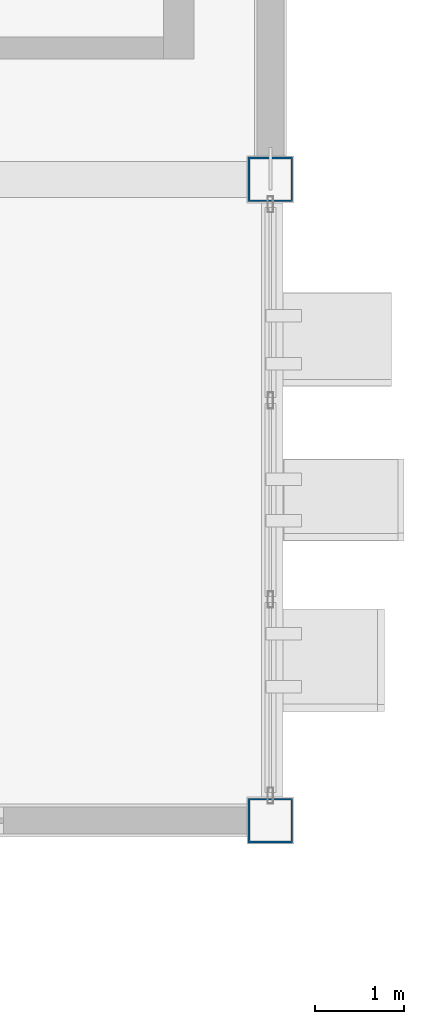
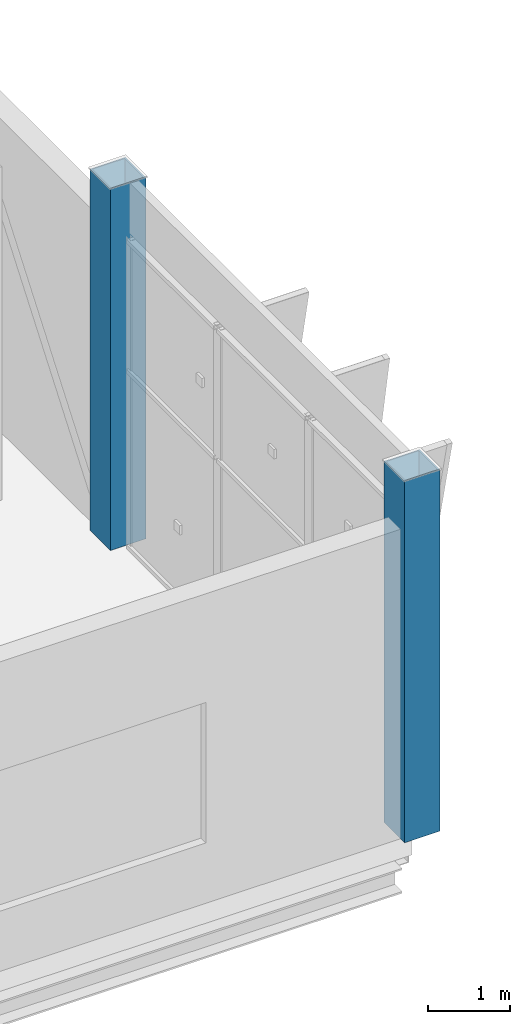
# One storey, part 9 of 189: 2 columns.
"""IFC4 building model written with IfcOpenShell, lengths in metres."""

from ifc_helpers import new_model, si_unit, direction, frame, origin, origin_2d, place, context, subcontext, project, spatial, hollow_rectangle, extrude, material, material_profile, profile_set, type_object, element, save


model = new_model("IFC4")

# Units and contexts
model_context = context("Model", 3, precision=1e-05, world=origin(), true_north=direction((0.0, 1.0)))
body_context = subcontext(model_context, "Body", "Model", "MODEL_VIEW")
ifc_project = project(units=[si_unit("LENGTHUNIT", "METRE"), si_unit("AREAUNIT", "SQUARE_METRE"), si_unit("VOLUMEUNIT", "CUBIC_METRE"), si_unit("PLANEANGLEUNIT", "RADIAN"), si_unit("MASSUNIT", "GRAM", prefix="KILO")], contexts=[model_context])

# Site, building, storey
site_placement = place(None, origin())
site = spatial("IfcSite", under=ifc_project, at=site_placement, CompositionType="ELEMENT")
building_placement = place(site_placement, origin())
building = spatial("IfcBuilding", under=site, at=building_placement, Name="Celestram Park Convention Centre", CompositionType="ELEMENT")
storey_placement = place(building_placement, frame((0.0, 0.0, 5.39990234375)))
storey = spatial("IfcBuildingStorey", under=building, at=storey_placement, Name="L01", CompositionType="ELEMENT", Elevation=5.39990234375)

# Columns
ifc_material = material(Name="Steel ASTM A500 Grade C", Category="steel")
ifc_material_profile = material_profile(ifc_material, hollow_rectangle(XDim=0.5, YDim=0.5, WallThickness=0.02001953125, at=origin_2d()), Name="HSS500X500X20")
ifc_profile_set = profile_set([ifc_material_profile], Name="Steel ASTM A500 Grade C")
column_type = type_object("IfcColumnType", Name="STR-COL-HSS500", PredefinedType="COLUMN", material=ifc_profile_set)
for number, where, z_axis, x_axis, name in (
    (1, (216.0, 115.199951171875, 0.0), (0.0, 0.0, 1.0), (1.0, 0.0, 0.0), "Column CN-L01-271"),
    (2, (216.0, 122.39990234375, 0.0), (0.0, 0.0, 1.0), (1.0, 0.0, 0.0), "Column CN-L01-272"),
):
    element("IfcColumn", number, at=place(storey_placement, frame(where, z_axis=z_axis, x_axis=x_axis)), inside=storey, type_object=column_type, Name=name, PredefinedType="COLUMN", context=body_context, shape_type="SweptSolid", body=[
        extrude(hollow_rectangle(XDim=0.5, YDim=0.5, WallThickness=0.02001953125, at=origin_2d()), origin(), (0.0, 0.0, 1.0), 5.400146484375),
    ])

save(model, "model.ifc")
